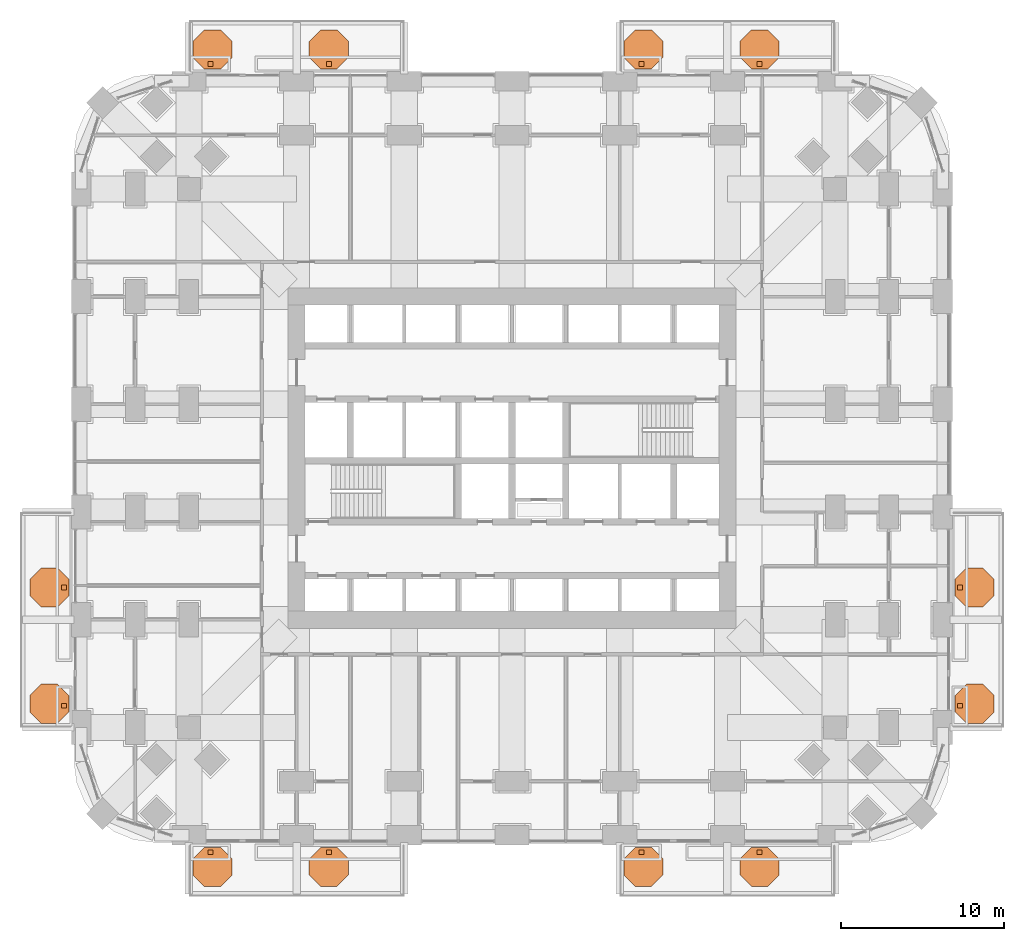
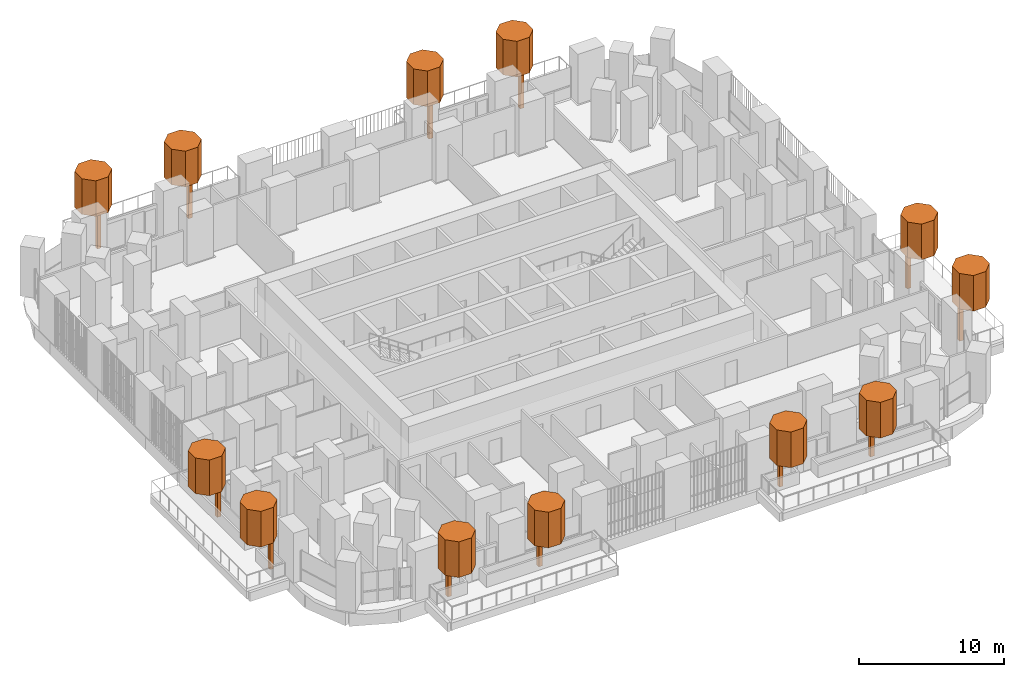
# One storey, part 27 of 27: 24 geographic elements.
"""IFC4 building model written with IfcOpenShell, lengths in metres."""

from ifc_helpers import new_model, si_unit, direction, frame, origin, origin_2d, place, context, subcontext, project, spatial, polyline, rectangle, outline, extrude, material, type_object, element, save


model = new_model("IFC4")

# Units and contexts
model_context = context("Model", 3, precision=1e-05, world=origin(), true_north=direction((0.0, 1.0)))
body_context = subcontext(model_context, "Body", "Model", "MODEL_VIEW")
ifc_project = project(units=[si_unit("LENGTHUNIT", "METRE"), si_unit("AREAUNIT", "SQUARE_METRE"), si_unit("VOLUMEUNIT", "CUBIC_METRE"), si_unit("PLANEANGLEUNIT", "RADIAN"), si_unit("MASSUNIT", "GRAM", prefix="KILO")], contexts=[model_context])

# Site, building, storey
site_placement = place(None, origin())
site = spatial("IfcSite", under=ifc_project, at=site_placement, CompositionType="ELEMENT")
building_placement = place(site_placement, origin())
building = spatial("IfcBuilding", under=site, at=building_placement, Name="Cobogo Forest Laboratory Tower", CompositionType="ELEMENT")
storey_placement = place(building_placement, frame((0.0, 0.0, 63.300048828125)))
storey = spatial("IfcBuildingStorey", under=building, at=storey_placement, Name="L14", CompositionType="ELEMENT", Elevation=63.300048828125)

# Geographic elements
ifc_material = material(Name="Planting", Category="plant")
geographic_element_type_1 = type_object("IfcGeographicElementType", Name="Tree trunk 300", PredefinedType="USERDEFINED", material=ifc_material)
for number, where, z_axis, x_axis, name in (
    (1, (7.925048828125, -1.050048828125, 0.0), (0.0, 0.0, 1.0), (1.0, 0.0, 0.0), "Tree trunk BAL-S1-PL1 L14"),
    (2, (15.175048828125, -1.050048828125, 0.0), (0.0, 0.0, 1.0), (1.0, 0.0, 0.0), "Tree trunk BAL-S1-PL2 L14"),
    (3, (34.324951171875, -1.050048828125, 0.0), (0.0, 0.0, 1.0), (1.0, 0.0, 0.0), "Tree trunk BAL-S2-PL1 L14"),
    (4, (41.574951171875, -1.050048828125, 0.0), (0.0, 0.0, 1.0), (1.0, 0.0, 0.0), "Tree trunk BAL-S2-PL2 L14"),
    (5, (53.85009765625, 7.925048828125, 0.0), (0.0, 0.0, 1.0), (1.0, 0.0, 0.0), "Tree trunk BAL-E1-PL1 L14"),
    (6, (53.85009765625, 15.175048828125, 0.0), (0.0, 0.0, 1.0), (1.0, 0.0, 0.0), "Tree trunk BAL-E1-PL2 L14"),
    (7, (7.925048828125, 47.25, 0.0), (0.0, 0.0, 1.0), (1.0, 0.0, 0.0), "Tree trunk BAL-N1-PL1 L14"),
    (8, (15.175048828125, 47.25, 0.0), (0.0, 0.0, 1.0), (1.0, 0.0, 0.0), "Tree trunk BAL-N1-PL2 L14"),
    (9, (34.324951171875, 47.25, 0.0), (0.0, 0.0, 1.0), (1.0, 0.0, 0.0), "Tree trunk BAL-N2-PL1 L14"),
    (10, (41.574951171875, 47.25, 0.0), (0.0, 0.0, 1.0), (1.0, 0.0, 0.0), "Tree trunk BAL-N2-PL2 L14"),
    (11, (-1.050048828125, 7.925048828125, 0.0), (0.0, 0.0, 1.0), (1.0, 0.0, 0.0), "Tree trunk BAL-W1-PL1 L14"),
    (12, (-1.050048828125, 15.175048828125, 0.0), (0.0, 0.0, 1.0), (1.0, 0.0, 0.0), "Tree trunk BAL-W1-PL2 L14"),
):
    element("IfcGeographicElement", number, at=place(storey_placement, frame(where, z_axis=z_axis, x_axis=x_axis)), inside=storey, type_object=geographic_element_type_1, Name=name, ObjectType="TREE TRUNK", PredefinedType="USERDEFINED", context=body_context, shape_type="SweptSolid", body=[
        extrude(rectangle(XDim=0.300048828125, YDim=0.300048828125, at=origin_2d()), origin(), (0.0, 0.0, 1.0), 2.89990234375),
    ])
geographic_element_type_2 = type_object("IfcGeographicElementType", Name="Tree, holm oak 5 m", PredefinedType="USERDEFINED", material=ifc_material)
geographic_element_1_placement = place(storey_placement, frame((0.0, 0.0, 2.89990234375)))
element("IfcGeographicElement", 13, at=geographic_element_1_placement, inside=storey, type_object=geographic_element_type_2, Name="Holm tree BAL-S1-PL1 L14", ObjectType="TREE", PredefinedType="USERDEFINED", context=body_context, shape_type="SweptSolid", body=[
    extrude(outline(polyline([(9.25, -2.447021484375), (9.25, -1.452880859375), (8.547119140625, -0.75), (7.552978515625, -0.75), (6.85009765625, -1.452880859375), (6.85009765625, -2.447021484375), (7.552978515625, -3.14990234375), (8.547119140625, -3.14990234375), (9.25, -2.447021484375)])), origin(), (0.0, 0.0, 1.0), 3.0),
])
geographic_element_2_placement = place(storey_placement, frame((0.0, 0.0, 2.89990234375)))
element("IfcGeographicElement", 14, at=geographic_element_2_placement, inside=storey, type_object=geographic_element_type_2, Name="Holm tree BAL-S1-PL2 L14", ObjectType="TREE", PredefinedType="USERDEFINED", context=body_context, shape_type="SweptSolid", body=[
    extrude(outline(polyline([(16.375, -2.447021484375), (16.375, -1.452880859375), (15.672119140625, -0.75), (14.677978515625, -0.75), (13.97509765625, -1.452880859375), (13.97509765625, -2.447021484375), (14.677978515625, -3.14990234375), (15.672119140625, -3.14990234375), (16.375, -2.447021484375)])), origin(), (0.0, 0.0, 1.0), 3.0),
])
geographic_element_3_placement = place(storey_placement, frame((0.0, 0.0, 2.89990234375)))
element("IfcGeographicElement", 15, at=geographic_element_3_placement, inside=storey, type_object=geographic_element_type_2, Name="Holm tree BAL-S2-PL1 L14", ObjectType="TREE", PredefinedType="USERDEFINED", context=body_context, shape_type="SweptSolid", body=[
    extrude(outline(polyline([(35.64990234375, -2.447021484375), (35.64990234375, -1.452880859375), (34.947021484375, -0.75), (33.952880859375, -0.75), (33.25, -1.452880859375), (33.25, -2.447021484375), (33.952880859375, -3.14990234375), (34.947021484375, -3.14990234375), (35.64990234375, -2.447021484375)])), origin(), (0.0, 0.0, 1.0), 3.0),
])
geographic_element_4_placement = place(storey_placement, frame((0.0, 0.0, 2.89990234375)))
element("IfcGeographicElement", 16, at=geographic_element_4_placement, inside=storey, type_object=geographic_element_type_2, Name="Holm tree BAL-S2-PL2 L14", ObjectType="TREE", PredefinedType="USERDEFINED", context=body_context, shape_type="SweptSolid", body=[
    extrude(outline(polyline([(42.77490234375, -2.447021484375), (42.77490234375, -1.452880859375), (42.072021484375, -0.75), (41.077880859375, -0.75), (40.375, -1.452880859375), (40.375, -2.447021484375), (41.077880859375, -3.14990234375), (42.072021484375, -3.14990234375), (42.77490234375, -2.447021484375)])), origin(), (0.0, 0.0, 1.0), 3.0),
])
geographic_element_5_placement = place(storey_placement, frame((0.0, 0.0, 2.89990234375)))
element("IfcGeographicElement", 17, at=geographic_element_5_placement, inside=storey, type_object=geographic_element_type_2, Name="Holm tree BAL-E1-PL1 L14", ObjectType="TREE", PredefinedType="USERDEFINED", context=body_context, shape_type="SweptSolid", body=[
    extrude(outline(polyline([(55.949951171875, 7.552978515625), (55.949951171875, 8.547119140625), (55.2470703125, 9.25), (54.2529296875, 9.25), (53.550048828125, 8.547119140625), (53.550048828125, 7.552978515625), (54.2529296875, 6.85009765625), (55.2470703125, 6.85009765625), (55.949951171875, 7.552978515625)])), origin(), (0.0, 0.0, 1.0), 3.0),
])
geographic_element_6_placement = place(storey_placement, frame((0.0, 0.0, 2.89990234375)))
element("IfcGeographicElement", 18, at=geographic_element_6_placement, inside=storey, type_object=geographic_element_type_2, Name="Holm tree BAL-E1-PL2 L14", ObjectType="TREE", PredefinedType="USERDEFINED", context=body_context, shape_type="SweptSolid", body=[
    extrude(outline(polyline([(55.949951171875, 14.677978515625), (55.949951171875, 15.672119140625), (55.2470703125, 16.375), (54.2529296875, 16.375), (53.550048828125, 15.672119140625), (53.550048828125, 14.677978515625), (54.2529296875, 13.97509765625), (55.2470703125, 13.97509765625), (55.949951171875, 14.677978515625)])), origin(), (0.0, 0.0, 1.0), 3.0),
])
geographic_element_7_placement = place(storey_placement, frame((0.0, 0.0, 2.89990234375)))
element("IfcGeographicElement", 19, at=geographic_element_7_placement, inside=storey, type_object=geographic_element_type_2, Name="Holm tree BAL-N1-PL1 L14", ObjectType="TREE", PredefinedType="USERDEFINED", context=body_context, shape_type="SweptSolid", body=[
    extrude(outline(polyline([(9.25, 47.65283203125), (9.25, 48.64697265625), (8.547119140625, 49.35009765625), (7.552978515625, 49.35009765625), (6.85009765625, 48.64697265625), (6.85009765625, 47.65283203125), (7.552978515625, 46.949951171875), (8.547119140625, 46.949951171875), (9.25, 47.65283203125)])), origin(), (0.0, 0.0, 1.0), 3.0),
])
geographic_element_8_placement = place(storey_placement, frame((0.0, 0.0, 2.89990234375)))
element("IfcGeographicElement", 20, at=geographic_element_8_placement, inside=storey, type_object=geographic_element_type_2, Name="Holm tree BAL-N1-PL2 L14", ObjectType="TREE", PredefinedType="USERDEFINED", context=body_context, shape_type="SweptSolid", body=[
    extrude(outline(polyline([(16.375, 47.65283203125), (16.375, 48.64697265625), (15.672119140625, 49.35009765625), (14.677978515625, 49.35009765625), (13.97509765625, 48.64697265625), (13.97509765625, 47.65283203125), (14.677978515625, 46.949951171875), (15.672119140625, 46.949951171875), (16.375, 47.65283203125)])), origin(), (0.0, 0.0, 1.0), 3.0),
])
geographic_element_9_placement = place(storey_placement, frame((0.0, 0.0, 2.89990234375)))
element("IfcGeographicElement", 21, at=geographic_element_9_placement, inside=storey, type_object=geographic_element_type_2, Name="Holm tree BAL-N2-PL1 L14", ObjectType="TREE", PredefinedType="USERDEFINED", context=body_context, shape_type="SweptSolid", body=[
    extrude(outline(polyline([(35.64990234375, 47.65283203125), (35.64990234375, 48.64697265625), (34.947021484375, 49.35009765625), (33.952880859375, 49.35009765625), (33.25, 48.64697265625), (33.25, 47.65283203125), (33.952880859375, 46.949951171875), (34.947021484375, 46.949951171875), (35.64990234375, 47.65283203125)])), origin(), (0.0, 0.0, 1.0), 3.0),
])
geographic_element_10_placement = place(storey_placement, frame((0.0, 0.0, 2.89990234375)))
element("IfcGeographicElement", 22, at=geographic_element_10_placement, inside=storey, type_object=geographic_element_type_2, Name="Holm tree BAL-N2-PL2 L14", ObjectType="TREE", PredefinedType="USERDEFINED", context=body_context, shape_type="SweptSolid", body=[
    extrude(outline(polyline([(42.77490234375, 47.65283203125), (42.77490234375, 48.64697265625), (42.072021484375, 49.35009765625), (41.077880859375, 49.35009765625), (40.375, 48.64697265625), (40.375, 47.65283203125), (41.077880859375, 46.949951171875), (42.072021484375, 46.949951171875), (42.77490234375, 47.65283203125)])), origin(), (0.0, 0.0, 1.0), 3.0),
])
geographic_element_11_placement = place(storey_placement, frame((0.0, 0.0, 2.89990234375)))
element("IfcGeographicElement", 23, at=geographic_element_11_placement, inside=storey, type_object=geographic_element_type_2, Name="Holm tree BAL-W1-PL1 L14", ObjectType="TREE", PredefinedType="USERDEFINED", context=body_context, shape_type="SweptSolid", body=[
    extrude(outline(polyline([(-0.75, 7.552978515625), (-0.75, 8.547119140625), (-1.452880859375, 9.25), (-2.447021484375, 9.25), (-3.14990234375, 8.547119140625), (-3.14990234375, 7.552978515625), (-2.447021484375, 6.85009765625), (-1.452880859375, 6.85009765625), (-0.75, 7.552978515625)])), origin(), (0.0, 0.0, 1.0), 3.0),
])
geographic_element_12_placement = place(storey_placement, frame((0.0, 0.0, 2.89990234375)))
element("IfcGeographicElement", 24, at=geographic_element_12_placement, inside=storey, type_object=geographic_element_type_2, Name="Holm tree BAL-W1-PL2 L14", ObjectType="TREE", PredefinedType="USERDEFINED", context=body_context, shape_type="SweptSolid", body=[
    extrude(outline(polyline([(-0.75, 14.677978515625), (-0.75, 15.672119140625), (-1.452880859375, 16.375), (-2.447021484375, 16.375), (-3.14990234375, 15.672119140625), (-3.14990234375, 14.677978515625), (-2.447021484375, 13.97509765625), (-1.452880859375, 13.97509765625), (-0.75, 14.677978515625)])), origin(), (0.0, 0.0, 1.0), 3.0),
])

save(model, "model.ifc")
